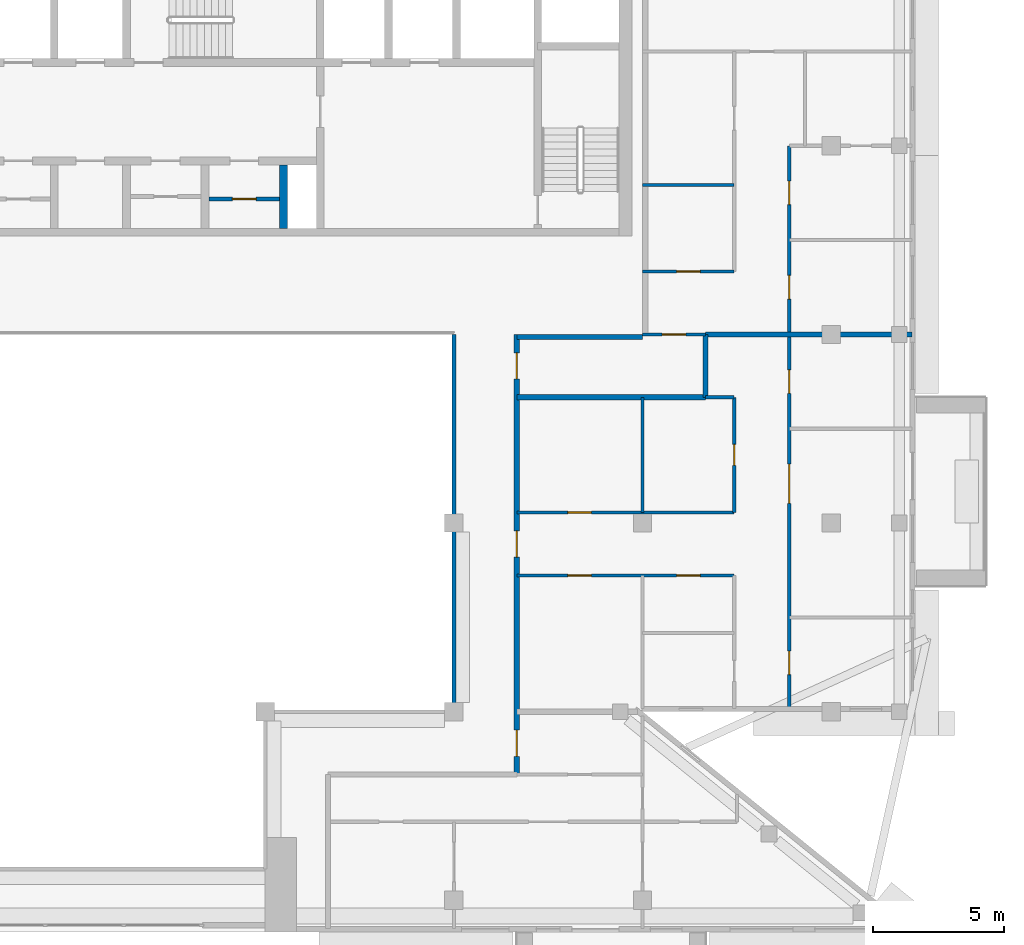
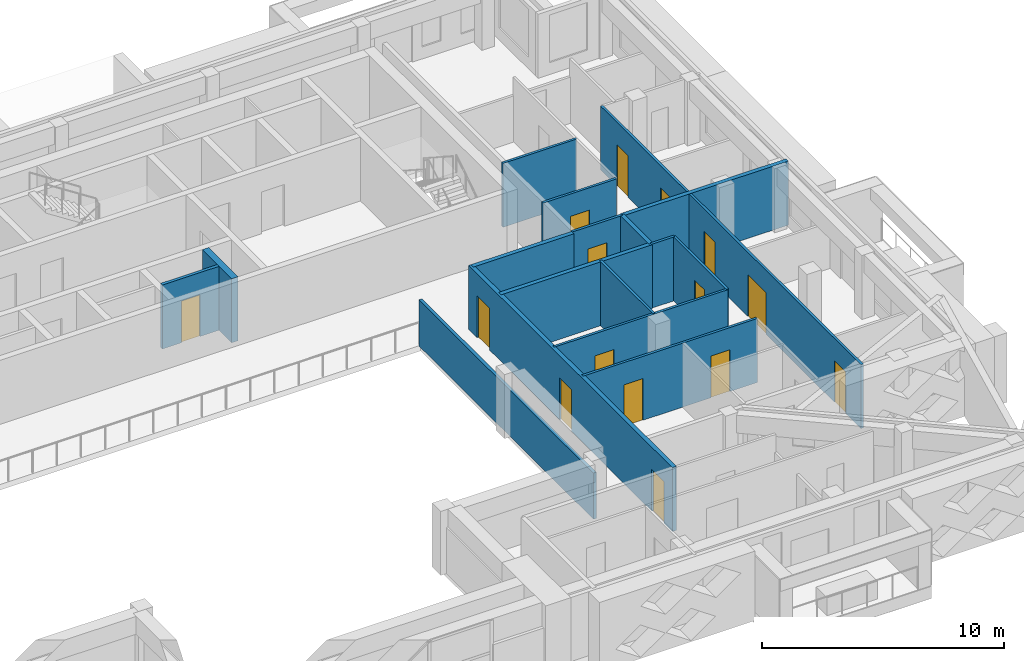
# One storey, part 9 of 19: 17 walls, 15 doors, 15 openings.
"""IFC4 building model written with IfcOpenShell, lengths in metres."""

from ifc_helpers import new_model, si_unit, direction, frame, frame_2d, origin, place, context, subcontext, project, spatial, rectangle, extrude, material, layer, layer_set, type_object, element, fill, save


model = new_model("IFC4")

# Units and contexts
model_context = context("Model", 3, precision=1e-05, world=origin(), true_north=direction((0.0, 1.0)))
body_context = subcontext(model_context, "Body", "Model", "MODEL_VIEW")
ifc_project = project(units=[si_unit("LENGTHUNIT", "METRE"), si_unit("AREAUNIT", "SQUARE_METRE"), si_unit("VOLUMEUNIT", "CUBIC_METRE"), si_unit("PLANEANGLEUNIT", "RADIAN"), si_unit("MASSUNIT", "GRAM", prefix="KILO")], contexts=[model_context])

# Site, building, storey
site_placement = place(None, origin())
site = spatial("IfcSite", under=ifc_project, at=site_placement, CompositionType="ELEMENT")
building_placement = place(site_placement, origin())
building = spatial("IfcBuilding", under=site, at=building_placement, Name="Saffron Iwan Residences", CompositionType="ELEMENT")
storey_placement = place(building_placement, frame((0.0, 0.0, 264.0)))
storey = spatial("IfcBuildingStorey", under=building, at=storey_placement, Name="L71", CompositionType="ELEMENT", Elevation=264.0)

# Wall
ifc_material_1 = material(Name="Fire-rated glazing", Category="glass")
ifc_layer_1 = layer(ifc_material_1, 0.14990234375)
ifc_layer_set_1 = layer_set([ifc_layer_1], Name="Fire-rated glazing")
wall_type_1 = type_object("IfcWallType", Name="Atrium glazed screen 150", PredefinedType="SOLIDWALL", material=ifc_layer_set_1)
wall_1_placement = place(storey_placement, frame((64.800048828125, 48.0, 0.0), z_axis=(0.0, 0.0, 1.0), x_axis=(0.0, 1.0, 0.0)))
element("IfcWall", 1, at=wall_1_placement, inside=storey, type_object=wall_type_1, Name="W-L71-SCREEN-v64.8-48", PredefinedType="SOLIDWALL", context=body_context, shape_type="SweptSolid", body=[
    extrude(rectangle(XDim=14.39990234375, YDim=0.14990234375, at=frame_2d((7.199951171875, 0.0))), origin(), (0.0, 0.0, 1.0), 2.320068359375),
])

# Wall, opening, door
ifc_material_2 = material(Name="Fire-rated plasterboard partition")
ifc_layer_2 = layer(ifc_material_2, 0.14990234375)
ifc_layer_set_2 = layer_set([ifc_layer_2], Name="Fire-rated plasterboard partition")
wall_type_2 = type_object("IfcWallType", Name="Core partition 150", PredefinedType="PARTITIONING", material=ifc_layer_set_2)
wall_2_placement = place(storey_placement, frame((55.449951171875, 67.5654296875, 0.0), z_axis=(0.0, 0.0, 1.0), x_axis=(1.0, 0.0, 0.0)))
wall_2 = element("IfcWall", 2, at=wall_2_placement, inside=storey, type_object=wall_type_2, Name="Core partition P06", PredefinedType="PARTITIONING", context=body_context, shape_type="SweptSolid", body=[
    extrude(rectangle(XDim=2.699951171875, YDim=0.14990234375, at=frame_2d((1.35009765625, 0.0))), origin(), (0.0, 0.0, 1.0), 3.219970703125),
])
opening_1_placement = place(wall_2_placement, frame((0.89990234375, 0.0, 0.0)))
opening_1 = element("IfcOpeningElement", 3, at=opening_1_placement, cuts=wall_2, Name="Opening SB", PredefinedType="OPENING", context=body_context, shape_type="SweptSolid", body=[
    extrude(rectangle(XDim=0.89990234375, YDim=2.10009765625, at=frame_2d((0.449951171875, 1.050048828125))), frame((0.0, 0.0849609375, 0.0), z_axis=(0.0, -1.0, 0.0), x_axis=(1.0, 0.0, 0.0)), (0.0, 0.0, 1.0), 0.169921875),
])
ifc_material_3 = material(Name="Steel fire door", Category="steel")
door_type_1 = type_object("IfcDoorType", Name="Store door 900", OperationType="NOTDEFINED", PredefinedType="DOOR", material=ifc_material_3)
door_1_placement = place(opening_1_placement, origin())
door_1 = element("IfcDoor", 4, at=door_1_placement, inside=storey, type_object=door_type_1, Name="Door Spares store", OperationType="SINGLE_SWING_RIGHT", OverallHeight=2.10009765625, OverallWidth=0.89990234375, PredefinedType="DOOR", context=body_context, shape_type="SweptSolid", body=[
    extrude(rectangle(XDim=0.89990234375, YDim=2.10009765625, at=frame_2d((0.449951171875, 1.050048828125))), frame((0.0, 0.02490234375, 0.0), z_axis=(0.0, -1.0, 0.0), x_axis=(1.0, 0.0, 0.0)), (0.0, 0.0, 1.0), 0.050048828125),
])
fill(opening_1, door_1)

# Walls
ifc_material_4 = material(Name="Fire-rated gypsum board wall")
ifc_layer_3 = layer(ifc_material_4, 0.199951171875)
ifc_layer_set_3 = layer_set([ifc_layer_3], Name="Fire-rated gypsum board wall")
wall_type_3 = type_object("IfcWallType", Name="Flat demising wall 200", PredefinedType="SOLIDWALL", material=ifc_layer_set_3)
wall_3_placement = place(storey_placement, frame((67.199951171875, 60.0, 0.0), z_axis=(0.0, 0.0, 1.0), x_axis=(1.0, 0.0, 0.0)))
element("IfcWall", 5, at=wall_3_placement, inside=storey, type_object=wall_type_3, Name="W-L71-DEMISE-h60-67.2", PredefinedType="SOLIDWALL", context=body_context, shape_type="SweptSolid", body=[
    extrude(rectangle(XDim=7.199951171875, YDim=0.199951171875, at=frame_2d((3.60009765625, 0.0))), origin(), (0.0, 0.0, 1.0), 3.219970703125),
])
wall_4_placement = place(storey_placement, frame((74.39990234375, 62.39990234375, 0.0), z_axis=(0.0, 0.0, 1.0), x_axis=(1.0, 0.0, 0.0)))
element("IfcWall", 6, at=wall_4_placement, inside=storey, type_object=wall_type_3, Name="W-L71-DEMISE-h62.4-74.4", PredefinedType="SOLIDWALL", context=body_context, shape_type="SweptSolid", body=[
    extrude(rectangle(XDim=7.875, YDim=0.199951171875, at=frame_2d((3.9375, 0.0))), origin(), (0.0, 0.0, 1.0), 3.219970703125),
])
wall_5_placement = place(storey_placement, frame((74.39990234375, 60.0, 0.0), z_axis=(0.0, 0.0, 1.0), x_axis=(0.0, 1.0, 0.0)))
element("IfcWall", 7, at=wall_5_placement, inside=storey, type_object=wall_type_3, Name="W-L71-DEMISE-v74.4-60", PredefinedType="SOLIDWALL", context=body_context, shape_type="SweptSolid", body=[
    extrude(rectangle(XDim=2.39990234375, YDim=0.199951171875, at=frame_2d((1.199951171875, 0.0))), origin(), (0.0, 0.0, 1.0), 3.219970703125),
])

# Wall, openings, doors
ifc_material_5 = material(Name="Gypsum board partition")
ifc_layer_4 = layer(ifc_material_5, 0.1201171875)
ifc_layer_set_4 = layer_set([ifc_layer_4], Name="Gypsum board partition")
wall_type_4 = type_object("IfcWallType", Name="Flat partition 120", PredefinedType="PARTITIONING", material=ifc_layer_set_4)
wall_6_placement = place(storey_placement, frame((67.199951171875, 53.199951171875, 0.0), z_axis=(0.0, 0.0, 1.0), x_axis=(1.0, 0.0, 0.0)))
wall_6 = element("IfcWall", 8, at=wall_6_placement, inside=storey, type_object=wall_type_4, Name="W-L71-PART-h53.2-67.2", PredefinedType="PARTITIONING", context=body_context, shape_type="SweptSolid", body=[
    extrude(rectangle(XDim=8.300048828125, YDim=0.1201171875, at=frame_2d((4.14990234375, 0.0))), origin(), (0.0, 0.0, 1.0), 3.219970703125),
])
opening_2_placement = place(wall_6_placement, frame((6.10009765625, 0.0, 0.0)))
opening_2 = element("IfcOpeningElement", 9, at=opening_2_placement, cuts=wall_6, Name="Opening FD2", PredefinedType="OPENING", context=body_context, shape_type="SweptSolid", body=[
    extrude(rectangle(XDim=0.89990234375, YDim=2.10009765625, at=frame_2d((0.449951171875, 1.050048828125))), frame((0.0, 0.070068359375, 0.0), z_axis=(0.0, -1.0, 0.0), x_axis=(1.0, 0.0, 0.0)), (0.0, 0.0, 1.0), 0.14013671875),
])
opening_3_placement = place(wall_6_placement, frame((1.949951171875, 0.0, 0.0)))
opening_3 = element("IfcOpeningElement", 10, at=opening_3_placement, cuts=wall_6, Name="Opening FD2", PredefinedType="OPENING", context=body_context, shape_type="SweptSolid", body=[
    extrude(rectangle(XDim=0.89990234375, YDim=2.10009765625, at=frame_2d((0.449951171875, 1.050048828125))), frame((0.0, 0.070068359375, 0.0), z_axis=(0.0, -1.0, 0.0), x_axis=(1.0, 0.0, 0.0)), (0.0, 0.0, 1.0), 0.14013671875),
])
ifc_material_6 = material(Name="Timber door", Category="wood")
door_type_2 = type_object("IfcDoorType", Name="Flat door 900", OperationType="NOTDEFINED", PredefinedType="DOOR", material=ifc_material_6)
door_2_placement = place(opening_2_placement, origin())
door_2 = element("IfcDoor", 11, at=door_2_placement, inside=storey, type_object=door_type_2, Name="Door L71-021", OperationType="SINGLE_SWING_LEFT", OverallHeight=2.10009765625, OverallWidth=0.89990234375, PredefinedType="DOOR", context=body_context, shape_type="SweptSolid", body=[
    extrude(rectangle(XDim=0.89990234375, YDim=2.10009765625, at=frame_2d((0.449951171875, 1.050048828125))), frame((0.0, 0.02490234375, 0.0), z_axis=(0.0, -1.0, 0.0), x_axis=(1.0, 0.0, 0.0)), (0.0, 0.0, 1.0), 0.050048828125),
])
fill(opening_2, door_2)
door_3_placement = place(opening_3_placement, origin())
door_3 = element("IfcDoor", 12, at=door_3_placement, inside=storey, type_object=door_type_2, Name="Door L71-023", OperationType="SINGLE_SWING_RIGHT", OverallHeight=2.10009765625, OverallWidth=0.89990234375, PredefinedType="DOOR", context=body_context, shape_type="SweptSolid", body=[
    extrude(rectangle(XDim=0.89990234375, YDim=2.10009765625, at=frame_2d((0.449951171875, 1.050048828125))), frame((0.0, 0.02490234375, 0.0), z_axis=(0.0, -1.0, 0.0), x_axis=(1.0, 0.0, 0.0)), (0.0, 0.0, 1.0), 0.050048828125),
])
fill(opening_3, door_3)

# Wall, opening, door
wall_7_placement = place(storey_placement, frame((67.199951171875, 55.60009765625, 0.0), z_axis=(0.0, 0.0, 1.0), x_axis=(1.0, 0.0, 0.0)))
wall_7 = element("IfcWall", 13, at=wall_7_placement, inside=storey, type_object=wall_type_4, Name="W-L71-PART-h55.6-67.2", PredefinedType="PARTITIONING", context=body_context, shape_type="SweptSolid", body=[
    extrude(rectangle(XDim=8.300048828125, YDim=0.1201171875, at=frame_2d((4.14990234375, 0.0))), origin(), (0.0, 0.0, 1.0), 3.219970703125),
])
opening_4_placement = place(wall_7_placement, frame((1.949951171875, 0.0, 0.0)))
opening_4 = element("IfcOpeningElement", 14, at=opening_4_placement, cuts=wall_7, Name="Opening FD2", PredefinedType="OPENING", context=body_context, shape_type="SweptSolid", body=[
    extrude(rectangle(XDim=0.89990234375, YDim=2.10009765625, at=frame_2d((0.449951171875, 1.050048828125))), frame((0.0, 0.070068359375, 0.0), z_axis=(0.0, -1.0, 0.0), x_axis=(1.0, 0.0, 0.0)), (0.0, 0.0, 1.0), 0.14013671875),
])
door_4_placement = place(opening_4_placement, origin())
door_4 = element("IfcDoor", 15, at=door_4_placement, inside=storey, type_object=door_type_2, Name="Door L71-024", OperationType="SINGLE_SWING_LEFT", OverallHeight=2.10009765625, OverallWidth=0.89990234375, PredefinedType="DOOR", context=body_context, shape_type="SweptSolid", body=[
    extrude(rectangle(XDim=0.89990234375, YDim=2.10009765625, at=frame_2d((0.449951171875, 1.050048828125))), frame((0.0, 0.02490234375, 0.0), z_axis=(0.0, -1.0, 0.0), x_axis=(1.0, 0.0, 0.0)), (0.0, 0.0, 1.0), 0.050048828125),
])
fill(opening_4, door_4)

# Wall
wall_8_placement = place(storey_placement, frame((74.39990234375, 60.0, 0.0), z_axis=(0.0, 0.0, 1.0), x_axis=(1.0, 0.0, 0.0)))
element("IfcWall", 16, at=wall_8_placement, inside=storey, type_object=wall_type_4, Name="W-L71-PART-h60-74.4", PredefinedType="PARTITIONING", context=body_context, shape_type="SweptSolid", body=[
    extrude(rectangle(XDim=1.10009765625, YDim=0.1201171875, at=frame_2d((0.550048828125, 0.0))), origin(), (0.0, 0.0, 1.0), 3.219970703125),
])

# Wall, opening, door
wall_9_placement = place(storey_placement, frame((72.0, 62.39990234375, 0.0), z_axis=(0.0, 0.0, 1.0), x_axis=(1.0, 0.0, 0.0)))
wall_9 = element("IfcWall", 17, at=wall_9_placement, inside=storey, type_object=wall_type_4, Name="W-L71-PART-h62.4-72", PredefinedType="PARTITIONING", context=body_context, shape_type="SweptSolid", body=[
    extrude(rectangle(XDim=2.39990234375, YDim=0.1201171875, at=frame_2d((1.199951171875, 0.0))), origin(), (0.0, 0.0, 1.0), 3.219970703125),
])
opening_5_placement = place(wall_9_placement, frame((0.75, 0.0, 0.0)))
opening_5 = element("IfcOpeningElement", 18, at=opening_5_placement, cuts=wall_9, Name="Opening FD2", PredefinedType="OPENING", context=body_context, shape_type="SweptSolid", body=[
    extrude(rectangle(XDim=0.89990234375, YDim=2.10009765625, at=frame_2d((0.449951171875, 1.050048828125))), frame((0.0, 0.070068359375, 0.0), z_axis=(0.0, -1.0, 0.0), x_axis=(1.0, 0.0, 0.0)), (0.0, 0.0, 1.0), 0.14013671875),
])
door_5_placement = place(opening_5_placement, origin())
door_5 = element("IfcDoor", 19, at=door_5_placement, inside=storey, type_object=door_type_2, Name="Door L71-033", OperationType="SINGLE_SWING_LEFT", OverallHeight=2.10009765625, OverallWidth=0.89990234375, PredefinedType="DOOR", context=body_context, shape_type="SweptSolid", body=[
    extrude(rectangle(XDim=0.89990234375, YDim=2.10009765625, at=frame_2d((0.449951171875, 1.050048828125))), frame((0.0, 0.02490234375, 0.0), z_axis=(0.0, -1.0, 0.0), x_axis=(1.0, 0.0, 0.0)), (0.0, 0.0, 1.0), 0.050048828125),
])
fill(opening_5, door_5)

wall_10_placement = place(storey_placement, frame((72.0, 64.800048828125, 0.0), z_axis=(0.0, 0.0, 1.0), x_axis=(1.0, 0.0, 0.0)))
wall_10 = element("IfcWall", 20, at=wall_10_placement, inside=storey, type_object=wall_type_4, Name="W-L71-PART-h64.8-72", PredefinedType="PARTITIONING", context=body_context, shape_type="SweptSolid", body=[
    extrude(rectangle(XDim=3.5, YDim=0.1201171875, at=frame_2d((1.75, 0.0))), origin(), (0.0, 0.0, 1.0), 3.219970703125),
])
opening_6_placement = place(wall_10_placement, frame((1.300048828125, 0.0, 0.0)))
opening_6 = element("IfcOpeningElement", 21, at=opening_6_placement, cuts=wall_10, Name="Opening FD2", PredefinedType="OPENING", context=body_context, shape_type="SweptSolid", body=[
    extrude(rectangle(XDim=0.89990234375, YDim=2.10009765625, at=frame_2d((0.449951171875, 1.050048828125))), frame((0.0, 0.070068359375, 0.0), z_axis=(0.0, -1.0, 0.0), x_axis=(1.0, 0.0, 0.0)), (0.0, 0.0, 1.0), 0.14013671875),
])
door_6_placement = place(opening_6_placement, origin())
door_6 = element("IfcDoor", 22, at=door_6_placement, inside=storey, type_object=door_type_2, Name="Door L71-039", OperationType="SINGLE_SWING_LEFT", OverallHeight=2.10009765625, OverallWidth=0.89990234375, PredefinedType="DOOR", context=body_context, shape_type="SweptSolid", body=[
    extrude(rectangle(XDim=0.89990234375, YDim=2.10009765625, at=frame_2d((0.449951171875, 1.050048828125))), frame((0.0, 0.02490234375, 0.0), z_axis=(0.0, -1.0, 0.0), x_axis=(1.0, 0.0, 0.0)), (0.0, 0.0, 1.0), 0.050048828125),
])
fill(opening_6, door_6)

# Walls
wall_11_placement = place(storey_placement, frame((72.0, 68.10009765625, 0.0), z_axis=(0.0, 0.0, 1.0), x_axis=(1.0, 0.0, 0.0)))
element("IfcWall", 23, at=wall_11_placement, inside=storey, type_object=wall_type_4, Name="W-L71-PART-h68.1-72", PredefinedType="PARTITIONING", context=body_context, shape_type="SweptSolid", body=[
    extrude(rectangle(XDim=3.5, YDim=0.1201171875, at=frame_2d((1.75, 0.0))), origin(), (0.0, 0.0, 1.0), 3.219970703125),
])
wall_12_placement = place(storey_placement, frame((72.0, 55.60009765625, 0.0), z_axis=(0.0, 0.0, 1.0), x_axis=(0.0, 1.0, 0.0)))
element("IfcWall", 24, at=wall_12_placement, inside=storey, type_object=wall_type_4, Name="W-L71-PART-v72-55.6", PredefinedType="PARTITIONING", context=body_context, shape_type="SweptSolid", body=[
    extrude(rectangle(XDim=4.39990234375, YDim=0.1201171875, at=frame_2d((2.199951171875, 0.0))), origin(), (0.0, 0.0, 1.0), 3.219970703125),
])

# Wall, opening, door
wall_13_placement = place(storey_placement, frame((75.5, 55.60009765625, 0.0), z_axis=(0.0, 0.0, 1.0), x_axis=(0.0, 1.0, 0.0)))
wall_13 = element("IfcWall", 25, at=wall_13_placement, inside=storey, type_object=wall_type_4, Name="W-L71-PART-v75.5-55.6", PredefinedType="PARTITIONING", context=body_context, shape_type="SweptSolid", body=[
    extrude(rectangle(XDim=4.39990234375, YDim=0.1201171875, at=frame_2d((2.199951171875, 0.0))), origin(), (0.0, 0.0, 1.0), 3.219970703125),
])
opening_7_placement = place(wall_13_placement, frame((1.800048828125, 0.0, 0.0)))
opening_7 = element("IfcOpeningElement", 26, at=opening_7_placement, cuts=wall_13, Name="Opening FD3", PredefinedType="OPENING", context=body_context, shape_type="SweptSolid", body=[
    extrude(rectangle(XDim=0.800048828125, YDim=2.10009765625, at=frame_2d((0.39990234375, 1.050048828125))), frame((0.0, 0.070068359375, 0.0), z_axis=(0.0, -1.0, 0.0), x_axis=(1.0, 0.0, 0.0)), (0.0, 0.0, 1.0), 0.14013671875),
])
door_type_3 = type_object("IfcDoorType", Name="Bathroom door 800", OperationType="NOTDEFINED", PredefinedType="DOOR", material=ifc_material_6)
door_7_placement = place(opening_7_placement, origin())
door_7 = element("IfcDoor", 27, at=door_7_placement, inside=storey, type_object=door_type_3, Name="Door L71-022", OperationType="SINGLE_SWING_LEFT", OverallHeight=2.10009765625, OverallWidth=0.800048828125, PredefinedType="DOOR", context=body_context, shape_type="SweptSolid", body=[
    extrude(rectangle(XDim=0.800048828125, YDim=2.10009765625, at=frame_2d((0.39990234375, 1.050048828125))), frame((0.0, 0.02490234375, 0.0), z_axis=(0.0, -1.0, 0.0), x_axis=(1.0, 0.0, 0.0)), (0.0, 0.0, 1.0), 0.050048828125),
])
fill(opening_7, door_7)

# Wall, openings, doors
wall_14_placement = place(storey_placement, frame((77.60009765625, 48.125, 0.0), z_axis=(0.0, 0.0, 1.0), x_axis=(0.0, 1.0, 0.0)))
wall_14 = element("IfcWall", 28, at=wall_14_placement, inside=storey, type_object=wall_type_4, Name="W-L71-PART-v77.6-48.125", PredefinedType="PARTITIONING", context=body_context, shape_type="SweptSolid", body=[
    extrude(rectangle(XDim=21.47509765625, YDim=0.1201171875, at=frame_2d((10.737548828125, 0.0))), origin(), (0.0, 0.0, 1.0), 3.219970703125),
])
opening_8_placement = place(wall_14_placement, frame((1.28759765625, 0.0, 0.0)))
opening_8 = element("IfcOpeningElement", 29, at=opening_8_placement, cuts=wall_14, Name="Opening FD2", PredefinedType="OPENING", context=body_context, shape_type="SweptSolid", body=[
    extrude(rectangle(XDim=0.89990234375, YDim=2.10009765625, at=frame_2d((0.449951171875, 1.050048828125))), frame((0.0, 0.070068359375, 0.0), z_axis=(0.0, -1.0, 0.0), x_axis=(1.0, 0.0, 0.0)), (0.0, 0.0, 1.0), 0.14013671875),
])
opening_9_placement = place(wall_14_placement, frame((7.824951171875, 0.0, 0.0)))
opening_9 = element("IfcOpeningElement", 30, at=opening_9_placement, cuts=wall_14, Name="Opening FD4", PredefinedType="OPENING", context=body_context, shape_type="SweptSolid", body=[
    extrude(rectangle(XDim=1.5, YDim=2.10009765625, at=frame_2d((0.75, 1.050048828125))), frame((0.0, 0.070068359375, 0.0), z_axis=(0.0, -1.0, 0.0), x_axis=(1.0, 0.0, 0.0)), (0.0, 0.0, 1.0), 0.14013671875),
])
opening_10_placement = place(wall_14_placement, frame((12.02490234375, 0.0, 0.0)))
opening_10 = element("IfcOpeningElement", 31, at=opening_10_placement, cuts=wall_14, Name="Opening FD2", PredefinedType="OPENING", context=body_context, shape_type="SweptSolid", body=[
    extrude(rectangle(XDim=0.89990234375, YDim=2.10009765625, at=frame_2d((0.449951171875, 1.050048828125))), frame((0.0, 0.070068359375, 0.0), z_axis=(0.0, -1.0, 0.0), x_axis=(1.0, 0.0, 0.0)), (0.0, 0.0, 1.0), 0.14013671875),
])
opening_11_placement = place(wall_14_placement, frame((15.625, 0.0, 0.0)))
opening_11 = element("IfcOpeningElement", 32, at=opening_11_placement, cuts=wall_14, Name="Opening FD2", PredefinedType="OPENING", context=body_context, shape_type="SweptSolid", body=[
    extrude(rectangle(XDim=0.89990234375, YDim=2.10009765625, at=frame_2d((0.449951171875, 1.050048828125))), frame((0.0, 0.070068359375, 0.0), z_axis=(0.0, -1.0, 0.0), x_axis=(1.0, 0.0, 0.0)), (0.0, 0.0, 1.0), 0.14013671875),
])
opening_12_placement = place(wall_14_placement, frame((19.22509765625, 0.0, 0.0)))
opening_12 = element("IfcOpeningElement", 33, at=opening_12_placement, cuts=wall_14, Name="Opening FD2", PredefinedType="OPENING", context=body_context, shape_type="SweptSolid", body=[
    extrude(rectangle(XDim=0.89990234375, YDim=2.10009765625, at=frame_2d((0.449951171875, 1.050048828125))), frame((0.0, 0.070068359375, 0.0), z_axis=(0.0, -1.0, 0.0), x_axis=(1.0, 0.0, 0.0)), (0.0, 0.0, 1.0), 0.14013671875),
])
door_type_4 = type_object("IfcDoorType", Name="Double door 1500", OperationType="NOTDEFINED", PredefinedType="DOOR", material=ifc_material_6)
door_8_placement = place(opening_9_placement, origin())
door_8 = element("IfcDoor", 34, at=door_8_placement, inside=storey, type_object=door_type_4, Name="Door L71-018", OperationType="SINGLE_SWING_RIGHT", OverallHeight=2.10009765625, OverallWidth=1.5, PredefinedType="DOOR", context=body_context, shape_type="SweptSolid", body=[
    extrude(rectangle(XDim=1.5, YDim=2.10009765625, at=frame_2d((0.75, 1.050048828125))), frame((0.0, 0.02490234375, 0.0), z_axis=(0.0, -1.0, 0.0), x_axis=(1.0, 0.0, 0.0)), (0.0, 0.0, 1.0), 0.050048828125),
])
fill(opening_9, door_8)
door_9_placement = place(opening_8_placement, origin())
door_9 = element("IfcDoor", 35, at=door_9_placement, inside=storey, type_object=door_type_2, Name="Door L71-017", OperationType="SINGLE_SWING_RIGHT", OverallHeight=2.10009765625, OverallWidth=0.89990234375, PredefinedType="DOOR", context=body_context, shape_type="SweptSolid", body=[
    extrude(rectangle(XDim=0.89990234375, YDim=2.10009765625, at=frame_2d((0.449951171875, 1.050048828125))), frame((0.0, 0.02490234375, 0.0), z_axis=(0.0, -1.0, 0.0), x_axis=(1.0, 0.0, 0.0)), (0.0, 0.0, 1.0), 0.050048828125),
])
fill(opening_8, door_9)
door_10_placement = place(opening_10_placement, origin())
door_10 = element("IfcDoor", 36, at=door_10_placement, inside=storey, type_object=door_type_2, Name="Door L71-019", OperationType="SINGLE_SWING_LEFT", OverallHeight=2.10009765625, OverallWidth=0.89990234375, PredefinedType="DOOR", context=body_context, shape_type="SweptSolid", body=[
    extrude(rectangle(XDim=0.89990234375, YDim=2.10009765625, at=frame_2d((0.449951171875, 1.050048828125))), frame((0.0, 0.02490234375, 0.0), z_axis=(0.0, -1.0, 0.0), x_axis=(1.0, 0.0, 0.0)), (0.0, 0.0, 1.0), 0.050048828125),
])
fill(opening_10, door_10)
door_11_placement = place(opening_11_placement, origin())
door_11 = element("IfcDoor", 37, at=door_11_placement, inside=storey, type_object=door_type_2, Name="Door L71-035", OperationType="SINGLE_SWING_RIGHT", OverallHeight=2.10009765625, OverallWidth=0.89990234375, PredefinedType="DOOR", context=body_context, shape_type="SweptSolid", body=[
    extrude(rectangle(XDim=0.89990234375, YDim=2.10009765625, at=frame_2d((0.449951171875, 1.050048828125))), frame((0.0, 0.02490234375, 0.0), z_axis=(0.0, -1.0, 0.0), x_axis=(1.0, 0.0, 0.0)), (0.0, 0.0, 1.0), 0.050048828125),
])
fill(opening_11, door_11)
door_12_placement = place(opening_12_placement, origin())
door_12 = element("IfcDoor", 38, at=door_12_placement, inside=storey, type_object=door_type_2, Name="Door L71-036", OperationType="SINGLE_SWING_LEFT", OverallHeight=2.10009765625, OverallWidth=0.89990234375, PredefinedType="DOOR", context=body_context, shape_type="SweptSolid", body=[
    extrude(rectangle(XDim=0.89990234375, YDim=2.10009765625, at=frame_2d((0.449951171875, 1.050048828125))), frame((0.0, 0.02490234375, 0.0), z_axis=(0.0, -1.0, 0.0), x_axis=(1.0, 0.0, 0.0)), (0.0, 0.0, 1.0), 0.050048828125),
])
fill(opening_12, door_12)

# Wall
ifc_layer_5 = layer(ifc_material_4, 0.199951171875)
ifc_layer_set_5 = layer_set([ifc_layer_5], Name="Fire-rated gypsum board wall")
wall_type_5 = type_object("IfcWallType", Name="Gallery wall 200", PredefinedType="SOLIDWALL", material=ifc_layer_set_5)
wall_15_placement = place(storey_placement, frame((67.199951171875, 62.300048828125, 0.0), z_axis=(0.0, 0.0, 1.0), x_axis=(1.0, 0.0, 0.0)))
element("IfcWall", 39, at=wall_15_placement, inside=storey, type_object=wall_type_5, Name="W-L71-CORR-h62.4-67.2", PredefinedType="SOLIDWALL", context=body_context, shape_type="SweptSolid", body=[
    extrude(rectangle(XDim=4.800048828125, YDim=0.199951171875, at=frame_2d((2.39990234375, 0.0))), origin(), (0.0, 0.0, 1.0), 3.219970703125),
])

# Wall, openings, doors
wall_16_placement = place(storey_placement, frame((67.199951171875, 45.60009765625, 0.0), z_axis=(0.0, 0.0, 1.0), x_axis=(0.0, 1.0, 0.0)))
wall_16 = element("IfcWall", 40, at=wall_16_placement, inside=storey, type_object=wall_type_5, Name="W-L71-CORR-v67.2-45.6", PredefinedType="SOLIDWALL", context=body_context, shape_type="SweptSolid", body=[
    extrude(rectangle(XDim=16.7998046875, YDim=0.199951171875, at=frame_2d((8.39990234375, 0.0))), origin(), (0.0, 0.0, 1.0), 3.219970703125),
])
opening_13_placement = place(wall_16_placement, frame((8.300048828125, 0.0, 0.0)))
opening_13 = element("IfcOpeningElement", 41, at=opening_13_placement, cuts=wall_16, Name="Opening FD1", PredefinedType="OPENING", context=body_context, shape_type="SweptSolid", body=[
    extrude(rectangle(XDim=1.0, YDim=2.10009765625, at=frame_2d((0.5, 1.050048828125))), frame((0.0, 0.10986328125, 0.0), z_axis=(0.0, -1.0, 0.0), x_axis=(1.0, 0.0, 0.0)), (0.0, 0.0, 1.0), 0.219970703125),
])
opening_14_placement = place(wall_16_placement, frame((15.10009765625, 0.0, 0.0)))
opening_14 = element("IfcOpeningElement", 42, at=opening_14_placement, cuts=wall_16, Name="Opening FD5", PredefinedType="OPENING", context=body_context, shape_type="SweptSolid", body=[
    extrude(rectangle(XDim=1.0, YDim=2.10009765625, at=frame_2d((0.5, 1.050048828125))), frame((0.0, 0.10986328125, 0.0), z_axis=(0.0, -1.0, 0.0), x_axis=(1.0, 0.0, 0.0)), (0.0, 0.0, 1.0), 0.219970703125),
])
opening_15_placement = place(wall_16_placement, frame((0.699951171875, 0.0, 0.0)))
opening_15 = element("IfcOpeningElement", 43, at=opening_15_placement, cuts=wall_16, Name="Opening FD5", PredefinedType="OPENING", context=body_context, shape_type="SweptSolid", body=[
    extrude(rectangle(XDim=1.0, YDim=2.10009765625, at=frame_2d((0.5, 1.050048828125))), frame((0.0, 0.10986328125, 0.0), z_axis=(0.0, -1.0, 0.0), x_axis=(1.0, 0.0, 0.0)), (0.0, 0.0, 1.0), 0.219970703125),
])
ifc_material_7 = material(Name="Fire-rated timber door", Category="wood")
door_type_5 = type_object("IfcDoorType", Name="FD30S flat entrance door 1000", OperationType="NOTDEFINED", PredefinedType="DOOR", material=ifc_material_7)
door_13_placement = place(opening_13_placement, origin())
door_13 = element("IfcDoor", 44, at=door_13_placement, inside=storey, type_object=door_type_5, Name="Door L71-016", OperationType="SINGLE_SWING_LEFT", OverallHeight=2.10009765625, OverallWidth=1.0, PredefinedType="DOOR", context=body_context, shape_type="SweptSolid", body=[
    extrude(rectangle(XDim=1.0, YDim=2.10009765625, at=frame_2d((0.5, 1.050048828125))), frame((0.0, 0.02490234375, 0.0), z_axis=(0.0, -1.0, 0.0), x_axis=(1.0, 0.0, 0.0)), (0.0, 0.0, 1.0), 0.050048828125),
])
fill(opening_13, door_13)
door_type_6 = type_object("IfcDoorType", Name="Lobby door 1000", OperationType="NOTDEFINED", PredefinedType="DOOR", material=ifc_material_7)
door_14_placement = place(opening_14_placement, origin())
door_14 = element("IfcDoor", 45, at=door_14_placement, inside=storey, type_object=door_type_6, Name="Door L71-034", OperationType="SINGLE_SWING_LEFT", OverallHeight=2.10009765625, OverallWidth=1.0, PredefinedType="DOOR", context=body_context, shape_type="SweptSolid", body=[
    extrude(rectangle(XDim=1.0, YDim=2.10009765625, at=frame_2d((0.5, 1.050048828125))), frame((0.0, 0.02490234375, 0.0), z_axis=(0.0, -1.0, 0.0), x_axis=(1.0, 0.0, 0.0)), (0.0, 0.0, 1.0), 0.050048828125),
])
fill(opening_14, door_14)
door_15_placement = place(opening_15_placement, origin())
door_15 = element("IfcDoor", 46, at=door_15_placement, inside=storey, type_object=door_type_6, Name="Door L71-043", OperationType="SINGLE_SWING_LEFT", OverallHeight=2.10009765625, OverallWidth=1.0, PredefinedType="DOOR", context=body_context, shape_type="SweptSolid", body=[
    extrude(rectangle(XDim=1.0, YDim=2.10009765625, at=frame_2d((0.5, 1.050048828125))), frame((0.0, 0.02490234375, 0.0), z_axis=(0.0, -1.0, 0.0), x_axis=(1.0, 0.0, 0.0)), (0.0, 0.0, 1.0), 0.050048828125),
])
fill(opening_15, door_15)

# Wall
ifc_material_8 = material(Name="Concrete C40/50", Category="concrete")
ifc_layer_6 = layer(ifc_material_8, 0.300048828125)
ifc_layer_set_6 = layer_set([ifc_layer_6], Name="Concrete C40/50")
wall_type_6 = type_object("IfcWallType", Name="WALL CORE 300 C40/50 3220 HIGH", PredefinedType="SHEAR", material=ifc_layer_set_6)
wall_17_placement = place(storey_placement, frame((58.300048828125, 66.449951171875, 0.0), z_axis=(0.0, 0.0, 1.0), x_axis=(0.0, 1.0, 0.0)))
element("IfcWall", 47, at=wall_17_placement, inside=storey, type_object=wall_type_6, Name="Core wall", PredefinedType="SHEAR", context=body_context, shape_type="SweptSolid", body=[
    extrude(rectangle(XDim=2.425048828125, YDim=0.300048828125, at=frame_2d((1.21240234375, 0.0))), origin(), (0.0, 0.0, 1.0), 3.219970703125),
])

save(model, "model.ifc")
